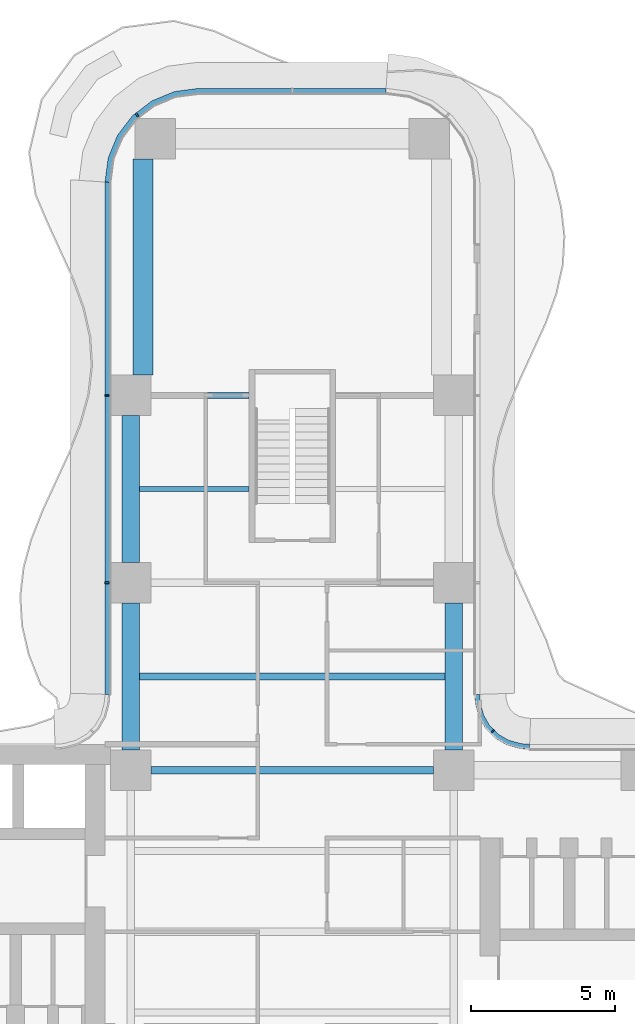
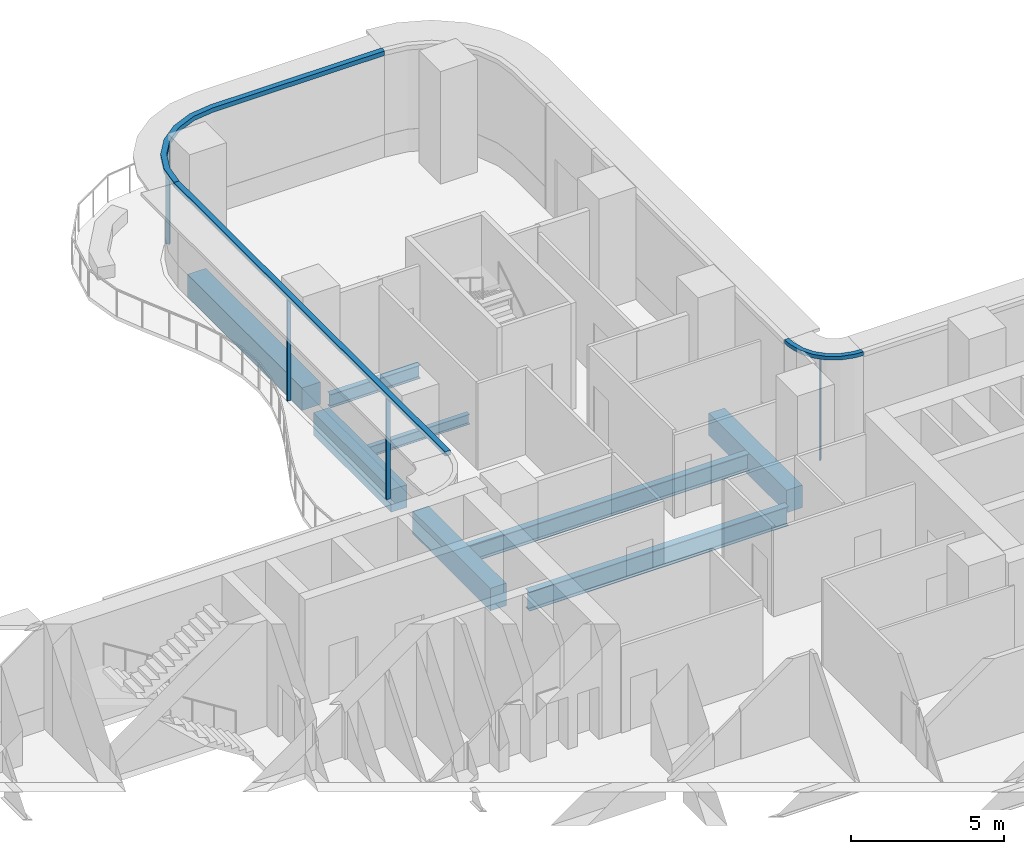
# One storey, part 9 of 22: 8 beams, 7 members, 3 elements without a shape of their own.
"""IFC4 building model written with IfcOpenShell, lengths in metres."""

from ifc_helpers import new_model, si_unit, direction, frame, origin, origin_2d, place, context, subcontext, project, spatial, polyline, rectangle, i_section, outline, extrude, source, transform, mapped, material, layer, layer_set, material_profile, profile_set, type_object, element, aggregate, save


model = new_model("IFC4")

# Units and contexts
model_context = context("Model", 3, precision=1e-05, world=origin(), true_north=direction((0.0, 1.0)))
body_context = subcontext(model_context, "Body", "Model", "MODEL_VIEW")
ifc_project = project(units=[si_unit("LENGTHUNIT", "METRE"), si_unit("AREAUNIT", "SQUARE_METRE"), si_unit("VOLUMEUNIT", "CUBIC_METRE"), si_unit("PLANEANGLEUNIT", "RADIAN"), si_unit("MASSUNIT", "GRAM", prefix="KILO")], contexts=[model_context])

# Site, building, storey
site_placement = place(None, origin())
site = spatial("IfcSite", under=ifc_project, at=site_placement, CompositionType="ELEMENT")
building_placement = place(site_placement, origin())
building = spatial("IfcBuilding", under=site, at=building_placement, Name="Trellis Farm Tower", CompositionType="ELEMENT")
storey_placement = place(building_placement, frame((0.0, 0.0, 47.5)))
storey = spatial("IfcBuildingStorey", under=building, at=storey_placement, Name="L09", CompositionType="ELEMENT", Elevation=47.5)

# Beams
ifc_material_1 = material(Name="Steel S355", Category="steel")
ifc_material_profile_1 = material_profile(ifc_material_1, i_section(OverallWidth=0.209228515625, OverallDepth=0.533203125, WebThickness=0.010009765625, FlangeThickness=0.015625, FilletRadius=0.0126953125, at=origin_2d()), Name="UB 533x210x92")
ifc_profile_set_1 = profile_set([ifc_material_profile_1], Name="Steel S355")
beam_type_1 = type_object("IfcBeamType", Name="UB 533x210x92", PredefinedType="BEAM", material=ifc_profile_set_1)
shared_shape_1 = source(origin(), body_context, "Body", "SweptSolid", [
    extrude(i_section(OverallWidth=0.209228515625, OverallDepth=0.533203125, WebThickness=0.010009765625, FlangeThickness=0.015625, FilletRadius=0.0126953125, at=origin_2d()), origin(), (0.0, 0.0, 1.0), 3.39990234375),
])
beam_1_placement = place(storey_placement, frame((-4.89990234375, 18.60009765625, -0.5166015625), z_axis=(1.0, 0.0, 0.0), x_axis=(0.0, 1.0, 0.0)))
element("IfcBeam", 1, at=beam_1_placement, inside=storey, type_object=beam_type_1, Name="Girder", PredefinedType="BEAM", context=body_context, shape_type="MappedRepresentation", body=[
    mapped(shared_shape_1, transform((0.0, 0.0, 0.0))),
])
ifc_material_2 = material(Name="Concrete C60/75", Category="concrete")
ifc_material_profile_2 = material_profile(ifc_material_2, rectangle(XDim=0.60009765625, YDim=0.89990234375, at=origin_2d()), Name="RC spandrel beam 600x900 C60/75")
ifc_profile_set_2 = profile_set([ifc_material_profile_2], Name="Concrete C60/75")
beam_type_2 = type_object("IfcBeamType", Name="RC spandrel beam 600x900 C60/75", PredefinedType="SPANDREL", material=ifc_profile_set_2)
shared_shape_2 = source(origin(), body_context, "Body", "SweptSolid", [
    extrude(rectangle(XDim=0.60009765625, YDim=0.89990234375, at=origin_2d()), origin(), (0.0, 0.0, 1.0), 5.099853515625),
])
for number, where, z_axis, x_axis, name in (
    (2, (-5.60009765625, 6.300048828125, -0.699951171875), (0.0, 1.0, 0.0), (-1.0, 0.0, 0.0), "Girder"),
    (3, (-5.60009765625, 12.800048828125, -0.699951171875), (0.0, 1.0, 0.0), (-1.0, 0.0, 0.0), "Girder"),
    (4, (5.60009765625, 6.300048828125, -0.699951171875), (0.0, 1.0, 0.0), (-1.0, 0.0, 0.0), "Girder"),
):
    element("IfcBeam", number, at=place(storey_placement, frame(where, z_axis=z_axis, x_axis=x_axis)), inside=storey, type_object=beam_type_2, Name=name, PredefinedType="SPANDREL", context=body_context, shape_type="MappedRepresentation", body=[
        mapped(shared_shape_2, transform((0.0, 0.0, 0.0))),
    ])
ifc_material_profile_3 = material_profile(ifc_material_1, i_section(OverallWidth=0.2666015625, OverallDepth=0.76220703125, WebThickness=0.014404296875, FlangeThickness=0.021484375, FilletRadius=0.0166015625, at=origin_2d()), Name="UB 762x267x173")
ifc_profile_set_3 = profile_set([ifc_material_profile_3], Name="Steel S355")
beam_type_3 = type_object("IfcBeamType", Name="UB 762x267x173", PredefinedType="BEAM", material=ifc_profile_set_3)
shared_shape_3 = source(origin(), body_context, "Body", "SweptSolid", [
    extrude(i_section(OverallWidth=0.2666015625, OverallDepth=0.76220703125, WebThickness=0.014404296875, FlangeThickness=0.021484375, FilletRadius=0.0166015625, at=origin_2d()), origin(), (0.0, 0.0, 1.0), 9.7998046875),
])
beam_2_placement = place(storey_placement, frame((-4.89990234375, 5.60009765625, -0.631103515625), z_axis=(1.0, 0.0, 0.0), x_axis=(0.0, 1.0, 0.0)))
element("IfcBeam", 5, at=beam_2_placement, inside=storey, type_object=beam_type_3, Name="Girder", PredefinedType="BEAM", context=body_context, shape_type="MappedRepresentation", body=[
    mapped(shared_shape_3, transform((0.0, 0.0, 0.0))),
])
ifc_material_profile_4 = material_profile(ifc_material_2, rectangle(XDim=0.699951171875, YDim=0.89990234375, at=origin_2d()), Name="RC spandrel beam 700x900 C60/75")
ifc_profile_set_4 = profile_set([ifc_material_profile_4], Name="Concrete C60/75")
beam_type_4 = type_object("IfcBeamType", Name="RC spandrel beam 700x900 C60/75", PredefinedType="SPANDREL", material=ifc_profile_set_4)
shared_shape_4 = source(origin(), body_context, "Body", "SweptSolid", [
    extrude(rectangle(XDim=0.699951171875, YDim=0.89990234375, at=origin_2d()), origin(), (0.0, 0.0, 1.0), 7.5),
])
beam_3_placement = place(storey_placement, frame((-5.175048828125, 19.300048828125, -0.699951171875), z_axis=(0.0, 1.0, 0.0), x_axis=(-1.0, 0.0, 0.0)))
element("IfcBeam", 6, at=beam_3_placement, inside=storey, type_object=beam_type_4, Name="Girder", PredefinedType="SPANDREL", context=body_context, shape_type="MappedRepresentation", body=[
    mapped(shared_shape_4, transform((0.0, 0.0, 0.0))),
])
ifc_material_profile_5 = material_profile(ifc_material_1, i_section(OverallWidth=0.177978515625, OverallDepth=0.406494140625, WebThickness=0.0078125, FlangeThickness=0.0126953125, FilletRadius=0.01025390625, at=origin_2d()), Name="UB 406x178x60")
ifc_profile_set_5 = profile_set([ifc_material_profile_5], Name="Steel S355")
beam_type_5 = type_object("IfcBeamType", Name="UB 406x178x60 joist", PredefinedType="JOIST", material=ifc_profile_set_5)
shared_shape_5 = source(origin(), body_context, "Body", "SweptSolid", [
    extrude(i_section(OverallWidth=0.177978515625, OverallDepth=0.406494140625, WebThickness=0.0078125, FlangeThickness=0.0126953125, FilletRadius=0.01025390625, at=origin_2d()), origin(), (0.0, 0.0, 1.0), 3.800048828125),
])
beam_4_placement = place(storey_placement, frame((-5.300048828125, 15.35009765625, -0.453125), z_axis=(1.0, 0.0, 0.0), x_axis=(0.0, 1.0, 0.0)))
element("IfcBeam", 7, at=beam_4_placement, inside=storey, type_object=beam_type_5, Name="Floor beam", PredefinedType="JOIST", context=body_context, shape_type="MappedRepresentation", body=[
    mapped(shared_shape_5, transform((0.0, 0.0, 0.0))),
])
ifc_material_profile_6 = material_profile(ifc_material_1, i_section(OverallWidth=0.253662109375, OverallDepth=0.68359375, WebThickness=0.012451171875, FlangeThickness=0.021728515625, FilletRadius=0.01513671875, at=origin_2d()), Name="UB 686x254x140")
ifc_profile_set_6 = profile_set([ifc_material_profile_6], Name="Steel S355")
beam_type_6 = type_object("IfcBeamType", Name="UB 686x254x140 joist", PredefinedType="JOIST", material=ifc_profile_set_6)
shared_shape_6 = source(origin(), body_context, "Body", "SweptSolid", [
    extrude(i_section(OverallWidth=0.253662109375, OverallDepth=0.68359375, WebThickness=0.012451171875, FlangeThickness=0.021728515625, FilletRadius=0.01513671875, at=origin_2d()), origin(), (0.0, 0.0, 1.0), 10.60009765625),
])
beam_5_placement = place(storey_placement, frame((-5.300048828125, 8.85009765625, -0.591796875), z_axis=(1.0, 0.0, 0.0), x_axis=(0.0, 1.0, 0.0)))
element("IfcBeam", 8, at=beam_5_placement, inside=storey, type_object=beam_type_6, Name="Floor beam", PredefinedType="JOIST", context=body_context, shape_type="MappedRepresentation", body=[
    mapped(shared_shape_6, transform((0.0, 0.0, 0.0))),
])

# Curtain wall, member
ifc_material_3 = material(Name="Aluminium and glass curtain wall", Category="aluminium")
ifc_layer_1 = layer(ifc_material_3, 0.18994140625)
ifc_layer_set_1 = layer_set([ifc_layer_1], Name="RIBBON CURTAIN WALL CW1")
curtain_wall_type_1 = type_object("IfcCurtainWallType", Name="RIBBON CURTAIN WALL CW1", PredefinedType="NOTDEFINED", material=ifc_layer_set_1)
placement_1 = place(storey_placement, origin())
curtain_wall_1 = element("IfcCurtainWall", 9, at=placement_1, inside=storey, type_object=curtain_wall_type_1, Name="CW1 010", PredefinedType="NOTDEFINED")
ifc_material_4 = material(Name="Aluminium extrusion 6063-T6", Category="aluminium")
ifc_material_profile_7 = material_profile(ifc_material_4, rectangle(XDim=0.06005859375, YDim=0.14990234375, at=origin_2d()), Name="MULLION 60x150")
ifc_profile_set_7 = profile_set([ifc_material_profile_7], Name="Aluminium extrusion 6063-T6")
member_type_1 = type_object("IfcMemberType", Name="CW1 MULLION 60x150", PredefinedType="MULLION", material=ifc_profile_set_7)
shared_shape_7 = source(origin(), body_context, "Body", "SweptSolid", [
    extrude(rectangle(XDim=0.06005859375, YDim=0.14990234375, at=origin_2d()), origin(), (0.0, 0.0, 1.0), 4.070068359375),
])
member_1_placement = place(storey_placement, frame((-5.385498046875, 28.328369140625, 0.0), z_axis=(0.0, 0.0, 1.0), x_axis=(-0.793353340291, -0.608761429009, 0.0)))
member_1 = element("IfcMember", 10, at=member_1_placement, type_object=member_type_1, Name="MU1 010-02", PredefinedType="MULLION", context=body_context, shape_type="MappedRepresentation", body=[
    mapped(shared_shape_7, transform((0.0, 0.0, 0.0))),
])

# Curtain wall, members
curtain_wall_2 = element("IfcCurtainWall", 11, at=placement_1, inside=storey, type_object=curtain_wall_type_1, Name="CW1 011", PredefinedType="NOTDEFINED")
member_2_placement = place(storey_placement, frame((-6.425048828125, 18.60009765625, 0.0), z_axis=(0.0, 0.0, 1.0), x_axis=(0.0, -1.0, 0.0)))
member_2 = element("IfcMember", 12, at=member_2_placement, type_object=member_type_1, Name="MU1 011-01", PredefinedType="MULLION", context=body_context, shape_type="MappedRepresentation", body=[
    mapped(shared_shape_7, transform((0.0, 0.0, 0.0))),
])
member_3_placement = place(storey_placement, frame((-6.425048828125, 12.10009765625, 0.0), z_axis=(0.0, 0.0, 1.0), x_axis=(0.0, -1.0, 0.0)))
member_3 = element("IfcMember", 13, at=member_3_placement, type_object=member_type_1, Name="MU1 011-02", PredefinedType="MULLION", context=body_context, shape_type="MappedRepresentation", body=[
    mapped(shared_shape_7, transform((0.0, 0.0, 0.0))),
])

ifc_layer_2 = layer(ifc_material_3, 0.166015625)
ifc_layer_set_2 = layer_set([ifc_layer_2], Name="WINTER GARDEN CURTAIN WALL CW3")
curtain_wall_type_2 = type_object("IfcCurtainWallType", Name="WINTER GARDEN CURTAIN WALL CW3", PredefinedType="NOTDEFINED", material=ifc_layer_set_2)
curtain_wall_3 = element("IfcCurtainWall", 14, at=placement_1, inside=storey, type_object=curtain_wall_type_2, Name="CW3 003", PredefinedType="NOTDEFINED")
ifc_material_profile_8 = material_profile(ifc_material_4, rectangle(XDim=0.050048828125, YDim=0.1201171875, at=origin_2d()), Name="MULLION 50x120")
ifc_profile_set_8 = profile_set([ifc_material_profile_8], Name="Aluminium extrusion 6063-T6")
member_type_2 = type_object("IfcMemberType", Name="CW3 MULLION 50x120", PredefinedType="MULLION", material=ifc_profile_set_8)
shared_shape_8 = source(origin(), body_context, "Body", "SweptSolid", [
    extrude(rectangle(XDim=0.050048828125, YDim=0.1201171875, at=origin_2d()), origin(), (0.0, 0.0, 1.0), 4.10009765625),
])
member_4_placement = place(storey_placement, frame((6.953125, 6.953125, 0.0), z_axis=(0.0, 0.0, 1.0), x_axis=(-0.707106781187, 0.707106781187, 0.0)))
member_4 = element("IfcMember", 15, at=member_4_placement, type_object=member_type_2, Name="MU3 003-01", PredefinedType="MULLION", context=body_context, shape_type="MappedRepresentation", body=[
    mapped(shared_shape_8, transform((0.0, 0.0, 0.0))),
])
ifc_layer_3 = layer(ifc_material_4, 0.169921875)
ifc_layer_set_3 = layer_set([ifc_layer_3], Name="Aluminium extrusion 6063-T6")
member_type_3 = type_object("IfcMemberType", Name="CW3 TRANSOM 170x150", PredefinedType="USERDEFINED", material=ifc_layer_set_3)
shared_shape_9 = source(origin(), body_context, "Body", "SweptSolid", [
    extrude(outline(polyline([(8.2314453125, 6.5), (8.01953125, 6.513916015625), (7.91552734375, 6.527587890625), (7.508544921875, 6.63671875), (7.144287109375, 6.846923828125), (6.846923828125, 7.144287109375), (6.63671875, 7.508544921875), (6.527587890625, 7.91552734375), (6.513916015625, 8.01953125), (6.5, 8.2314453125), (6.330078125, 8.225830078125), (6.3447265625, 8.0029296875), (6.360595703125, 7.88232421875), (6.478271484375, 7.44287109375), (6.7109375, 7.0400390625), (7.0400390625, 6.7109375), (7.44287109375, 6.478271484375), (7.88232421875, 6.360595703125), (8.0029296875, 6.3447265625), (8.225830078125, 6.330078125), (8.2314453125, 6.5)])), origin(), (0.0, 0.0, 1.0), 0.14990234375),
])
member_5_placement = place(storey_placement, frame((0.0, 0.0, 4.10009765625)))
member_5 = element("IfcMember", 16, at=member_5_placement, type_object=member_type_3, Name="TR3 003", ObjectType="TRANSOM", PredefinedType="USERDEFINED", context=body_context, shape_type="MappedRepresentation", body=[
    mapped(shared_shape_9, transform((0.0, 0.0, 0.0))),
])
aggregate(curtain_wall_3, [member_4, member_5])

# Member
ifc_layer_4 = layer(ifc_material_4, 0.199951171875)
ifc_layer_set_4 = layer_set([ifc_layer_4], Name="Aluminium extrusion 6063-T6")
member_type_4 = type_object("IfcMemberType", Name="CW1 TRANSOM 200x180", PredefinedType="USERDEFINED", material=ifc_layer_set_4)
shared_shape_10 = source(origin(), body_context, "Body", "SweptSolid", [
    extrude(outline(polyline([(3.25, 29.25), (-3.25, 29.25), (-4.091064453125, 29.13916015625), (-4.875, 28.814697265625), (-5.548095703125, 28.298095703125), (-6.064697265625, 27.625), (-6.38916015625, 26.841064453125), (-6.5, 26.0), (-6.300048828125, 25.98681640625), (-6.1943359375, 26.7890625), (-5.889892578125, 27.524169921875), (-5.405517578125, 28.155517578125), (-4.774169921875, 28.639892578125), (-4.0390625, 28.9443359375), (-3.23681640625, 29.050048828125), (3.23681640625, 29.050048828125), (3.25, 29.25)])), origin(), (0.0, 0.0, 1.0), 0.179931640625),
])
placement_2 = place(storey_placement, frame((0.0, 0.0, 4.070068359375)))
member_6 = element("IfcMember", 17, at=placement_2, type_object=member_type_4, Name="TR1 010", ObjectType="TRANSOM", PredefinedType="USERDEFINED", context=body_context, shape_type="MappedRepresentation", body=[
    mapped(shared_shape_10, transform((0.0, 0.0, 0.0))),
])

aggregate(curtain_wall_1, [member_1, member_6])

shared_shape_11 = source(origin(), body_context, "Body", "SweptSolid", [
    extrude(outline(polyline([(-6.5, 26.0), (-6.5, 8.2314453125), (-6.300048828125, 8.224853515625), (-6.300048828125, 25.98681640625), (-6.5, 26.0)])), origin(), (0.0, 0.0, 1.0), 0.179931640625),
])
member_7 = element("IfcMember", 18, at=placement_2, type_object=member_type_4, Name="TR1 011", ObjectType="TRANSOM", PredefinedType="USERDEFINED", context=body_context, shape_type="MappedRepresentation", body=[
    mapped(shared_shape_11, transform((0.0, 0.0, 0.0))),
])

aggregate(curtain_wall_2, [member_2, member_3, member_7])

save(model, "model.ifc")
